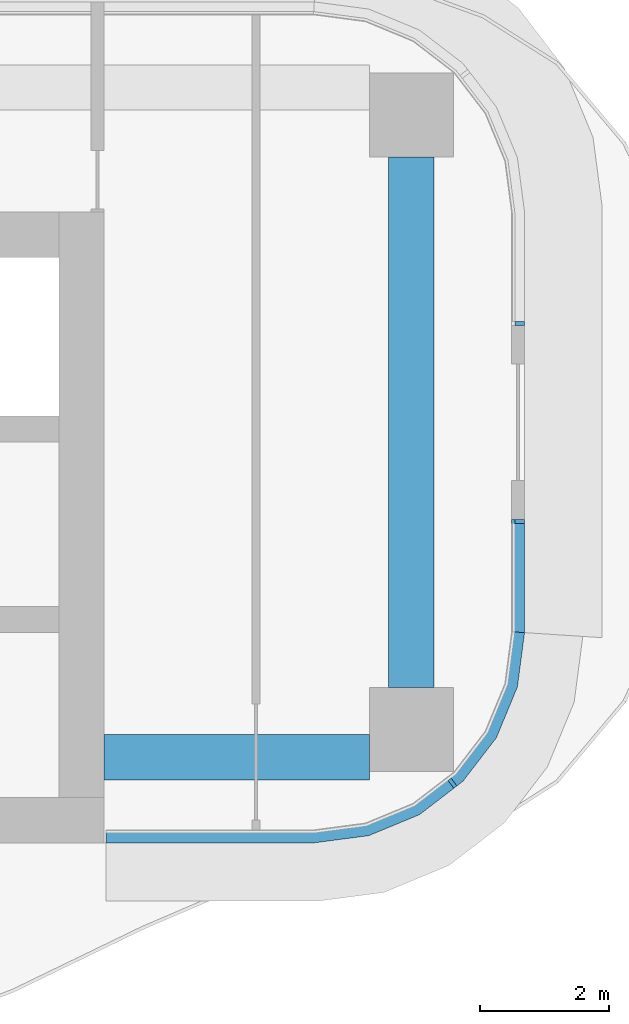
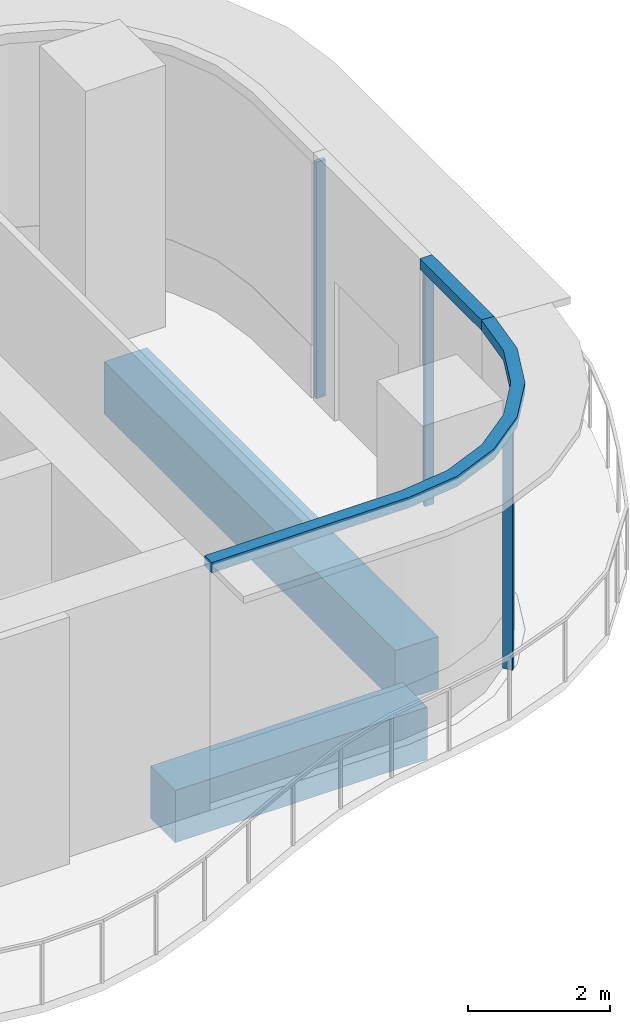
# One storey, part 7 of 21: 5 members, 2 beams, 3 elements without a shape of their own.
"""IFC4 building model written with IfcOpenShell, lengths in metres."""

from ifc_helpers import new_model, si_unit, direction, frame, origin, origin_2d, place, context, subcontext, project, spatial, polyline, rectangle, outline, extrude, source, transform, mapped, material, layer, layer_set, material_profile, profile_set, type_object, element, aggregate, save


model = new_model("IFC4")

# Units and contexts
model_context = context("Model", 3, precision=1e-05, world=origin(), true_north=direction((0.0, 1.0)))
body_context = subcontext(model_context, "Body", "Model", "MODEL_VIEW")
ifc_project = project(units=[si_unit("LENGTHUNIT", "METRE"), si_unit("AREAUNIT", "SQUARE_METRE"), si_unit("VOLUMEUNIT", "CUBIC_METRE"), si_unit("PLANEANGLEUNIT", "RADIAN"), si_unit("MASSUNIT", "GRAM", prefix="KILO")], contexts=[model_context])

# Site, building, storey
site_placement = place(None, origin())
site = spatial("IfcSite", under=ifc_project, at=site_placement, CompositionType="ELEMENT")
building_placement = place(site_placement, origin())
building = spatial("IfcBuilding", under=site, at=building_placement, Name="Trellis Farm Tower", CompositionType="ELEMENT")
storey_placement = place(building_placement, frame((0.0, 0.0, 115.5)))
storey = spatial("IfcBuildingStorey", under=building, at=storey_placement, Name="L24", CompositionType="ELEMENT", Elevation=115.5)

# Beams
ifc_material_1 = material(Name="Concrete C60/75", Category="concrete")
ifc_material_profile_1 = material_profile(ifc_material_1, rectangle(XDim=0.699951171875, YDim=0.89990234375, at=origin_2d()), Name="RC spandrel beam 700x900 C60/75")
ifc_profile_set_1 = profile_set([ifc_material_profile_1], Name="Concrete C60/75")
beam_type = type_object("IfcBeamType", Name="RC spandrel beam 700x900 C60/75", PredefinedType="SPANDREL", material=ifc_profile_set_1)
shared_shape_1 = source(origin(), body_context, "Body", "SweptSolid", [
    extrude(rectangle(XDim=0.699951171875, YDim=0.89990234375, at=origin_2d()), origin(), (0.0, 0.0, 1.0), 8.2001953125),
])
beam_1_placement = place(storey_placement, frame((27.5, -4.10009765625, -0.699951171875), z_axis=(0.0, 1.0, 0.0), x_axis=(-1.0, 0.0, 0.0)))
element("IfcBeam", 1, at=beam_1_placement, inside=storey, type_object=beam_type, Name="Girder", PredefinedType="SPANDREL", context=body_context, shape_type="MappedRepresentation", body=[
    mapped(shared_shape_1, transform((0.0, 0.0, 0.0))),
])
shared_shape_2 = source(origin(), body_context, "Body", "SweptSolid", [
    extrude(rectangle(XDim=0.699951171875, YDim=0.89990234375, at=origin_2d()), origin(), (0.0, 0.0, 1.0), 4.10009765625),
])
beam_2_placement = place(storey_placement, frame((22.75, -5.175048828125, -0.699951171875), z_axis=(1.0, 0.0, 0.0), x_axis=(0.0, 1.0, 0.0)))
element("IfcBeam", 2, at=beam_2_placement, inside=storey, type_object=beam_type, Name="Girder", PredefinedType="SPANDREL", context=body_context, shape_type="MappedRepresentation", body=[
    mapped(shared_shape_2, transform((0.0, 0.0, 0.0))),
])

# Curtain wall, member
ifc_material_2 = material(Name="Aluminium and glass curtain wall", Category="aluminium")
ifc_layer_1 = layer(ifc_material_2, 0.18994140625)
ifc_layer_set_1 = layer_set([ifc_layer_1], Name="RIBBON CURTAIN WALL CW1")
curtain_wall_type = type_object("IfcCurtainWallType", Name="RIBBON CURTAIN WALL CW1", PredefinedType="NOTDEFINED", material=ifc_layer_set_1)
placement_1 = place(storey_placement, origin())
curtain_wall_1 = element("IfcCurtainWall", 3, at=placement_1, inside=storey, type_object=curtain_wall_type, Name="CW1 005", PredefinedType="NOTDEFINED")
ifc_material_3 = material(Name="Aluminium extrusion 6063-T6", Category="aluminium")
ifc_material_profile_2 = material_profile(ifc_material_3, rectangle(XDim=0.06005859375, YDim=0.14990234375, at=origin_2d()), Name="MULLION 60x150")
ifc_profile_set_2 = profile_set([ifc_material_profile_2], Name="Aluminium extrusion 6063-T6")
member_type_1 = type_object("IfcMemberType", Name="CW1 MULLION 60x150", PredefinedType="MULLION", material=ifc_profile_set_2)
shared_shape_3 = source(origin(), body_context, "Body", "SweptSolid", [
    extrude(rectangle(XDim=0.06005859375, YDim=0.14990234375, at=origin_2d()), origin(), (0.0, 0.0, 1.0), 4.070068359375),
])
member_1_placement = place(storey_placement, frame((28.135498046875, -5.578369140625, 0.0), z_axis=(0.0, 0.0, 1.0), x_axis=(0.793353340291, 0.608761429009, 0.0)))
member_1 = element("IfcMember", 4, at=member_1_placement, type_object=member_type_1, Name="MU1 005-01", PredefinedType="MULLION", context=body_context, shape_type="MappedRepresentation", body=[
    mapped(shared_shape_3, transform((0.0, 0.0, 0.0))),
])

curtain_wall_2 = element("IfcCurtainWall", 5, at=placement_1, inside=storey, type_object=curtain_wall_type, Name="CW1 006", PredefinedType="NOTDEFINED")
member_2_placement = place(storey_placement, frame((29.175048828125, -1.530029296875, 0.0), z_axis=(0.0, 0.0, 1.0), x_axis=(0.0, 1.0, 0.0)))
member_2 = element("IfcMember", 6, at=member_2_placement, type_object=member_type_1, Name="MU1 006-01", PredefinedType="MULLION", context=body_context, shape_type="MappedRepresentation", body=[
    mapped(shared_shape_3, transform((0.0, 0.0, 0.0))),
])

curtain_wall_3 = element("IfcCurtainWall", 7, at=placement_1, inside=storey, type_object=curtain_wall_type, Name="CW1 007", PredefinedType="NOTDEFINED")
member_3_placement = place(storey_placement, frame((29.175048828125, 1.530029296875, 0.0), z_axis=(0.0, 0.0, 1.0), x_axis=(0.0, 1.0, 0.0)))
member_3 = element("IfcMember", 8, at=member_3_placement, type_object=member_type_1, Name="MU1 007-01", PredefinedType="MULLION", context=body_context, shape_type="MappedRepresentation", body=[
    mapped(shared_shape_3, transform((0.0, 0.0, 0.0))),
])
aggregate(curtain_wall_3, [member_3])

# Member
ifc_layer_2 = layer(ifc_material_3, 0.199951171875)
ifc_layer_set_2 = layer_set([ifc_layer_2], Name="Aluminium extrusion 6063-T6")
member_type_2 = type_object("IfcMemberType", Name="CW1 TRANSOM 200x180", PredefinedType="USERDEFINED", material=ifc_layer_set_2)
shared_shape_4 = source(origin(), body_context, "Body", "SweptSolid", [
    extrude(outline(polyline([(22.780029296875, -6.5), (26.0, -6.5), (26.841064453125, -6.38916015625), (27.625, -6.064697265625), (28.298095703125, -5.548095703125), (28.814697265625, -4.875), (29.13916015625, -4.091064453125), (29.25, -3.25), (29.050048828125, -3.23681640625), (28.9443359375, -4.0390625), (28.639892578125, -4.774169921875), (28.155517578125, -5.405517578125), (27.524169921875, -5.889892578125), (26.7890625, -6.1943359375), (25.98681640625, -6.300048828125), (22.780029296875, -6.300048828125), (22.780029296875, -6.5)])), origin(), (0.0, 0.0, 1.0), 0.179931640625),
])
placement_2 = place(storey_placement, frame((0.0, 0.0, 4.070068359375)))
member_4 = element("IfcMember", 9, at=placement_2, type_object=member_type_2, Name="TR1 005", ObjectType="TRANSOM", PredefinedType="USERDEFINED", context=body_context, shape_type="MappedRepresentation", body=[
    mapped(shared_shape_4, transform((0.0, 0.0, 0.0))),
])

aggregate(curtain_wall_1, [member_1, member_4])

shared_shape_5 = source(origin(), body_context, "Body", "SweptSolid", [
    extrude(outline(polyline([(29.25, -3.25), (29.25, -1.5), (29.050048828125, -1.5), (29.050048828125, -3.23681640625), (29.25, -3.25)])), origin(), (0.0, 0.0, 1.0), 0.179931640625),
])
member_5 = element("IfcMember", 10, at=placement_2, type_object=member_type_2, Name="TR1 006", ObjectType="TRANSOM", PredefinedType="USERDEFINED", context=body_context, shape_type="MappedRepresentation", body=[
    mapped(shared_shape_5, transform((0.0, 0.0, 0.0))),
])

aggregate(curtain_wall_2, [member_2, member_5])

save(model, "model.ifc")
